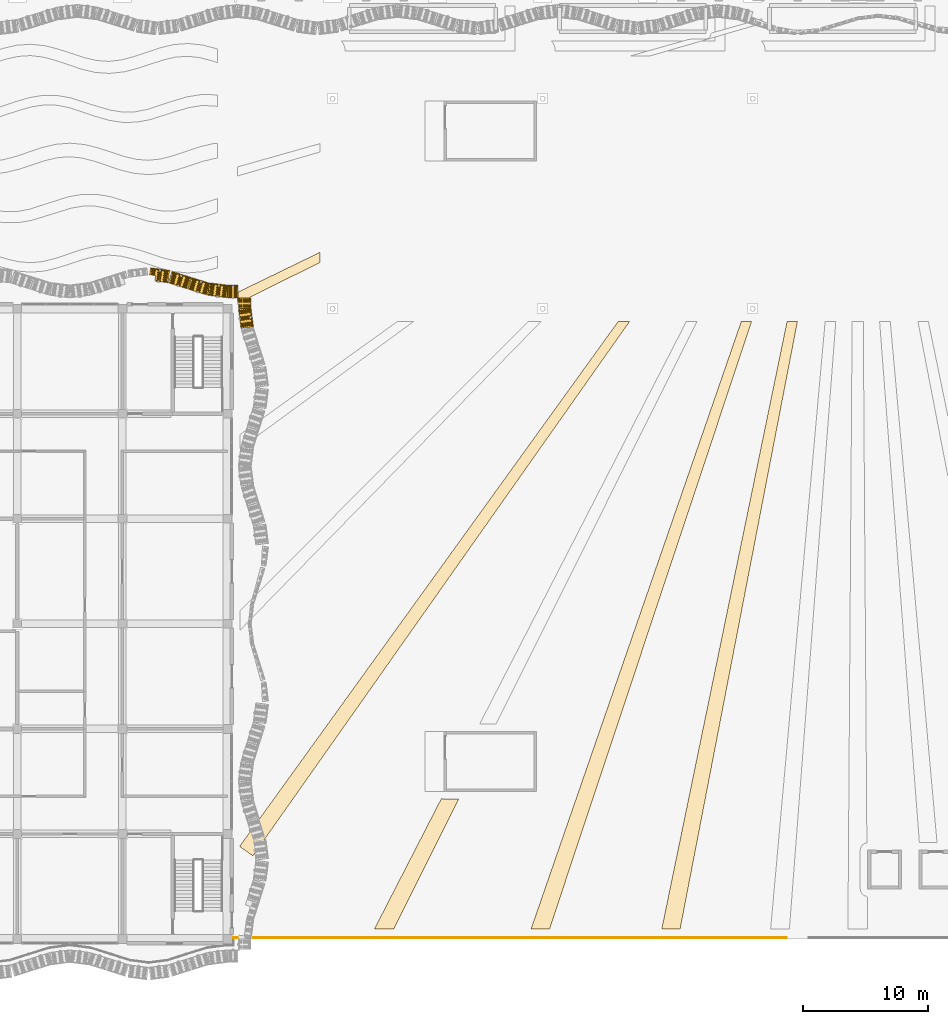
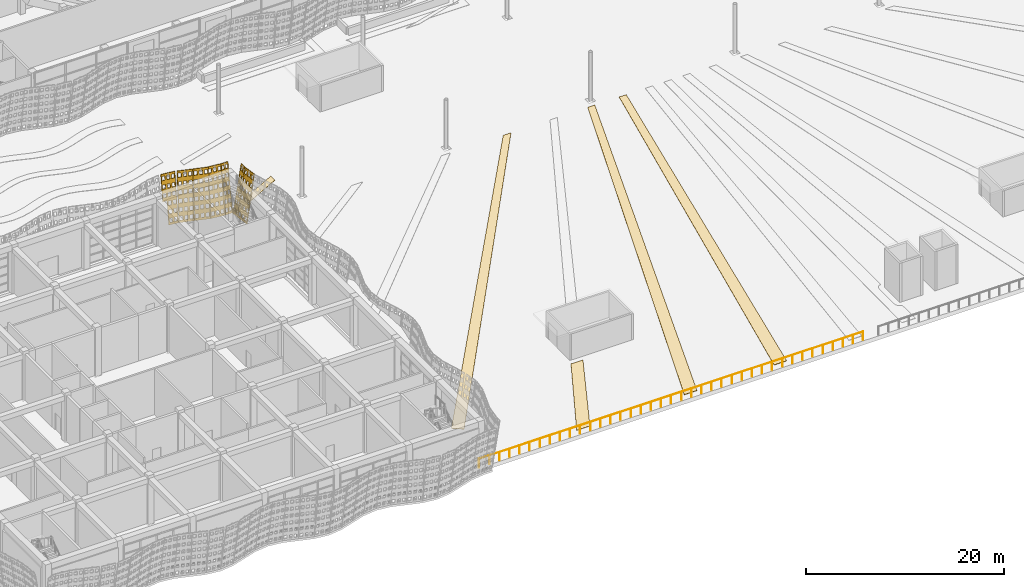
# One storey, part 164 of 210: 12 coverings, 1 railing.
"""IFC4 building model written with IfcOpenShell, lengths in metres."""

from ifc_helpers import new_model, si_unit, direction, frame, origin, origin_2d, place, context, subcontext, project, spatial, polyline, circle, outline, extrude, material, layer, layer_set, type_object, element, save


model = new_model("IFC4")

# Units and contexts
model_context = context("Model", 3, precision=1e-05, world=origin(), true_north=direction((0.0, 1.0)))
body_context = subcontext(model_context, "Body", "Model", "MODEL_VIEW")
ifc_project = project(units=[si_unit("LENGTHUNIT", "METRE"), si_unit("AREAUNIT", "SQUARE_METRE"), si_unit("VOLUMEUNIT", "CUBIC_METRE"), si_unit("PLANEANGLEUNIT", "RADIAN"), si_unit("MASSUNIT", "GRAM", prefix="KILO")], contexts=[model_context])

# Site, building, storey
site_placement = place(None, origin())
site = spatial("IfcSite", under=ifc_project, at=site_placement, CompositionType="ELEMENT")
building_placement = place(site_placement, origin())
building = spatial("IfcBuilding", under=site, at=building_placement, Name="Rain Tree Exposition and Congress Centre", CompositionType="ELEMENT")
storey_placement = place(building_placement, origin())
storey = spatial("IfcBuildingStorey", under=building, at=storey_placement, Name="L00", CompositionType="ELEMENT", Elevation=0.0)

# Coverings
ifc_material_1 = material(Name="Granite paving", Category="masonry")
ifc_layer_1 = layer(ifc_material_1, 0.030029296875)
ifc_layer_set_1 = layer_set([ifc_layer_1], Name="Granite paving")
covering_type_1 = type_object("IfcCoveringType", Name="Granite paving inlay 30", PredefinedType="FLOORING", material=ifc_layer_set_1)
covering_1_placement = place(storey_placement, origin())
element("IfcCovering", 1, at=covering_1_placement, inside=storey, type_object=covering_type_1, Name="Granite paving inlay 3", PredefinedType="FLOORING", context=body_context, shape_type="SweptSolid", body=[
    extrude(outline(polyline([(57.781005859375, 54.08984375), (57.800048828125, 54.91064453125), (51.199951171875, 51.7080078125), (51.199951171875, 50.998779296875), (51.283447265625, 50.86767578125), (57.781005859375, 54.08984375)])), origin(), (0.0, 0.0, 1.0), 0.030029296875),
])
covering_2_placement = place(storey_placement, origin())
element("IfcCovering", 2, at=covering_2_placement, inside=storey, type_object=covering_type_1, Name="Granite paving inlay 6", PredefinedType="FLOORING", context=body_context, shape_type="SweptSolid", body=[
    extrude(outline(polyline([(82.569580078125, 49.39990234375), (81.660400390625, 49.39990234375), (51.39990234375, 7.444580078125), (51.39990234375, 7.38427734375), (52.4296875, 6.64990234375), (82.569580078125, 49.39990234375)])), origin(), (0.0, 0.0, 1.0), 0.030029296875),
])
covering_3_placement = place(storey_placement, origin())
element("IfcCovering", 3, at=covering_3_placement, inside=storey, type_object=covering_type_1, Name="Granite paving inlay 8", PredefinedType="FLOORING", context=body_context, shape_type="SweptSolid", body=[
    extrude(outline(polyline([(68.88916015625, 11.199951171875), (67.699951171875, 11.199951171875), (67.510009765625, 11.2314453125), (62.1533203125, 0.800048828125), (63.69775390625, 0.800048828125), (68.88916015625, 11.199951171875)])), origin(), (0.0, 0.0, 1.0), 0.030029296875),
])
covering_4_placement = place(storey_placement, origin())
element("IfcCovering", 4, at=covering_4_placement, inside=storey, type_object=covering_type_1, Name="Granite paving inlay 9", PredefinedType="FLOORING", context=body_context, shape_type="SweptSolid", body=[
    extrude(outline(polyline([(92.321533203125, 49.39990234375), (91.496826171875, 49.39990234375), (74.67919921875, 0.800048828125), (76.156982421875, 0.800048828125), (92.321533203125, 49.39990234375)])), origin(), (0.0, 0.0, 1.0), 0.030029296875),
])
covering_5_placement = place(storey_placement, origin())
element("IfcCovering", 5, at=covering_5_placement, inside=storey, type_object=covering_type_1, Name="Granite paving inlay 10", PredefinedType="FLOORING", context=body_context, shape_type="SweptSolid", body=[
    extrude(outline(polyline([(95.9833984375, 49.39990234375), (95.154052734375, 49.39990234375), (85.131103515625, 0.800048828125), (86.599609375, 0.800048828125), (95.9833984375, 49.39990234375)])), origin(), (0.0, 0.0, 1.0), 0.030029296875),
])

# Railing
ifc_material_2 = material(Name="Stainless steel", Category="steel")
railing_type = type_object("IfcRailingType", Name="Guard 1100 stainless", PredefinedType="GUARDRAIL", material=ifc_material_2)
railing_placement = place(storey_placement, frame((50.39990234375, 0.10009765625, 0.0)))
element("IfcRailing", 6, at=railing_placement, inside=storey, type_object=railing_type, Name="Deck edge guard south-1", PredefinedType="GUARDRAIL", context=body_context, shape_type="SweptSolid", body=[
    extrude(circle(Radius=0.02490234375, at=origin_2d()), frame((0.0, 0.0, 1.0751953125), z_axis=(1.0, 0.0, 0.0), x_axis=(0.0, 1.0, 0.0)), (0.0, 0.0, 1.0), 44.7001953125),
    extrude(circle(Radius=0.02490234375, at=origin_2d()), origin(), (0.0, 0.0, 1.0), 1.050048828125),
    extrude(circle(Radius=0.02490234375, at=origin_2d()), frame((1.17626953125, 0.0, 0.0)), (0.0, 0.0, 1.0), 1.050048828125),
    extrude(circle(Radius=0.02490234375, at=origin_2d()), frame((2.3525390625, 0.0, 0.0)), (0.0, 0.0, 1.0), 1.050048828125),
    extrude(circle(Radius=0.02490234375, at=origin_2d()), frame((3.529052734375, 0.0, 0.0)), (0.0, 0.0, 1.0), 1.050048828125),
    extrude(circle(Radius=0.02490234375, at=origin_2d()), frame((4.705322265625, 0.0, 0.0)), (0.0, 0.0, 1.0), 1.050048828125),
    extrude(circle(Radius=0.02490234375, at=origin_2d()), frame((5.881591796875, 0.0, 0.0)), (0.0, 0.0, 1.0), 1.050048828125),
    extrude(circle(Radius=0.02490234375, at=origin_2d()), frame((7.057861328125, 0.0, 0.0)), (0.0, 0.0, 1.0), 1.050048828125),
    extrude(circle(Radius=0.02490234375, at=origin_2d()), frame((8.234130859375, 0.0, 0.0)), (0.0, 0.0, 1.0), 1.050048828125),
    extrude(circle(Radius=0.02490234375, at=origin_2d()), frame((9.41064453125, 0.0, 0.0)), (0.0, 0.0, 1.0), 1.050048828125),
    extrude(circle(Radius=0.02490234375, at=origin_2d()), frame((10.5869140625, 0.0, 0.0)), (0.0, 0.0, 1.0), 1.050048828125),
    extrude(circle(Radius=0.02490234375, at=origin_2d()), frame((11.76318359375, 0.0, 0.0)), (0.0, 0.0, 1.0), 1.050048828125),
    extrude(circle(Radius=0.02490234375, at=origin_2d()), frame((12.939453125, 0.0, 0.0)), (0.0, 0.0, 1.0), 1.050048828125),
    extrude(circle(Radius=0.02490234375, at=origin_2d()), frame((14.115966796875, 0.0, 0.0)), (0.0, 0.0, 1.0), 1.050048828125),
    extrude(circle(Radius=0.02490234375, at=origin_2d()), frame((15.292236328125, 0.0, 0.0)), (0.0, 0.0, 1.0), 1.050048828125),
    extrude(circle(Radius=0.02490234375, at=origin_2d()), frame((16.468505859375, 0.0, 0.0)), (0.0, 0.0, 1.0), 1.050048828125),
    extrude(circle(Radius=0.02490234375, at=origin_2d()), frame((17.644775390625, 0.0, 0.0)), (0.0, 0.0, 1.0), 1.050048828125),
    extrude(circle(Radius=0.02490234375, at=origin_2d()), frame((18.821044921875, 0.0, 0.0)), (0.0, 0.0, 1.0), 1.050048828125),
    extrude(circle(Radius=0.02490234375, at=origin_2d()), frame((19.99755859375, 0.0, 0.0)), (0.0, 0.0, 1.0), 1.050048828125),
    extrude(circle(Radius=0.02490234375, at=origin_2d()), frame((21.173828125, 0.0, 0.0)), (0.0, 0.0, 1.0), 1.050048828125),
    extrude(circle(Radius=0.02490234375, at=origin_2d()), frame((22.35009765625, 0.0, 0.0)), (0.0, 0.0, 1.0), 1.050048828125),
    extrude(circle(Radius=0.02490234375, at=origin_2d()), frame((23.5263671875, 0.0, 0.0)), (0.0, 0.0, 1.0), 1.050048828125),
    extrude(circle(Radius=0.02490234375, at=origin_2d()), frame((24.70263671875, 0.0, 0.0)), (0.0, 0.0, 1.0), 1.050048828125),
    extrude(circle(Radius=0.02490234375, at=origin_2d()), frame((25.879150390625, 0.0, 0.0)), (0.0, 0.0, 1.0), 1.050048828125),
    extrude(circle(Radius=0.02490234375, at=origin_2d()), frame((27.055419921875, 0.0, 0.0)), (0.0, 0.0, 1.0), 1.050048828125),
    extrude(circle(Radius=0.02490234375, at=origin_2d()), frame((28.231689453125, 0.0, 0.0)), (0.0, 0.0, 1.0), 1.050048828125),
    extrude(circle(Radius=0.02490234375, at=origin_2d()), frame((29.407958984375, 0.0, 0.0)), (0.0, 0.0, 1.0), 1.050048828125),
    extrude(circle(Radius=0.02490234375, at=origin_2d()), frame((30.584228515625, 0.0, 0.0)), (0.0, 0.0, 1.0), 1.050048828125),
    extrude(circle(Radius=0.02490234375, at=origin_2d()), frame((31.7607421875, 0.0, 0.0)), (0.0, 0.0, 1.0), 1.050048828125),
    extrude(circle(Radius=0.02490234375, at=origin_2d()), frame((32.93701171875, 0.0, 0.0)), (0.0, 0.0, 1.0), 1.050048828125),
    extrude(circle(Radius=0.02490234375, at=origin_2d()), frame((34.11328125, 0.0, 0.0)), (0.0, 0.0, 1.0), 1.050048828125),
    extrude(circle(Radius=0.02490234375, at=origin_2d()), frame((35.28955078125, 0.0, 0.0)), (0.0, 0.0, 1.0), 1.050048828125),
    extrude(circle(Radius=0.02490234375, at=origin_2d()), frame((36.466064453125, 0.0, 0.0)), (0.0, 0.0, 1.0), 1.050048828125),
    extrude(circle(Radius=0.02490234375, at=origin_2d()), frame((37.642333984375, 0.0, 0.0)), (0.0, 0.0, 1.0), 1.050048828125),
    extrude(circle(Radius=0.02490234375, at=origin_2d()), frame((38.818603515625, 0.0, 0.0)), (0.0, 0.0, 1.0), 1.050048828125),
    extrude(circle(Radius=0.02490234375, at=origin_2d()), frame((39.994873046875, 0.0, 0.0)), (0.0, 0.0, 1.0), 1.050048828125),
    extrude(circle(Radius=0.02490234375, at=origin_2d()), frame((41.171142578125, 0.0, 0.0)), (0.0, 0.0, 1.0), 1.050048828125),
    extrude(circle(Radius=0.02490234375, at=origin_2d()), frame((42.34765625, 0.0, 0.0)), (0.0, 0.0, 1.0), 1.050048828125),
    extrude(circle(Radius=0.02490234375, at=origin_2d()), frame((43.52392578125, 0.0, 0.0)), (0.0, 0.0, 1.0), 1.050048828125),
    extrude(circle(Radius=0.02490234375, at=origin_2d()), frame((44.7001953125, 0.0, 0.0)), (0.0, 0.0, 1.0), 1.050048828125),
])

# Coverings
ifc_material_3 = material(Name="Perforated terracotta", Category="masonry")
ifc_layer_2 = layer(ifc_material_3, 0.080078125)
ifc_layer_set_2 = layer_set([ifc_layer_2], Name="Perforated terracotta")
covering_type_2 = type_object("IfcCoveringType", Name="Terracotta screen 80", PredefinedType="CLADDING", material=ifc_layer_set_2)
covering_6_placement = place(storey_placement, frame((51.554931640625, 48.824951171875, 0.0), z_axis=(-0.978391994594, -0.12841394929, 0.162046174105), x_axis=(0.130133906157, -0.991496427865, 0.0)))
element("IfcCovering", 7, at=covering_6_placement, inside=storey, type_object=covering_type_2, Name="wing/screen/L00/066", PredefinedType="CLADDING", context=body_context, shape_type="SweptSolid", body=[
    extrude(outline(polyline([(-0.014892578125, 5.813720703125), (-0.014892578125, 0.0), (-1.5732421875, 0.0), (-1.5732421875, 5.813720703125), (-0.014892578125, 5.813720703125)]), holes=[polyline([(-0.11376953125, 0.25), (-0.11376953125, 0.718994140625), (-0.435791015625, 0.718994140625), (-0.435791015625, 0.25), (-0.11376953125, 0.25)]), polyline([(-0.11376953125, 1.218994140625), (-0.11376953125, 1.687744140625), (-0.435791015625, 1.687744140625), (-0.435791015625, 1.218994140625), (-0.11376953125, 1.218994140625)]), polyline([(-0.11376953125, 2.18798828125), (-0.11376953125, 2.65673828125), (-0.435791015625, 2.65673828125), (-0.435791015625, 2.18798828125), (-0.11376953125, 2.18798828125)]), polyline([(-0.11376953125, 3.15673828125), (-0.11376953125, 3.625732421875), (-0.435791015625, 3.625732421875), (-0.435791015625, 3.15673828125), (-0.11376953125, 3.15673828125)]), polyline([(-0.11376953125, 4.125732421875), (-0.11376953125, 4.594482421875), (-0.435791015625, 4.594482421875), (-0.435791015625, 4.125732421875), (-0.11376953125, 4.125732421875)]), polyline([(-0.11376953125, 5.0947265625), (-0.11376953125, 5.5634765625), (-0.435791015625, 5.5634765625), (-0.435791015625, 5.0947265625), (-0.11376953125, 5.0947265625)]), polyline([(-0.633056640625, 0.25), (-0.633056640625, 0.718994140625), (-0.955078125, 0.718994140625), (-0.955078125, 0.25), (-0.633056640625, 0.25)]), polyline([(-0.633056640625, 1.218994140625), (-0.633056640625, 1.687744140625), (-0.955078125, 1.687744140625), (-0.955078125, 1.218994140625), (-0.633056640625, 1.218994140625)]), polyline([(-0.633056640625, 2.18798828125), (-0.633056640625, 2.65673828125), (-0.955078125, 2.65673828125), (-0.955078125, 2.18798828125), (-0.633056640625, 2.18798828125)]), polyline([(-0.633056640625, 3.15673828125), (-0.633056640625, 3.625732421875), (-0.955078125, 3.625732421875), (-0.955078125, 3.15673828125), (-0.633056640625, 3.15673828125)]), polyline([(-0.633056640625, 4.125732421875), (-0.633056640625, 4.594482421875), (-0.955078125, 4.594482421875), (-0.955078125, 4.125732421875), (-0.633056640625, 4.125732421875)]), polyline([(-0.633056640625, 5.0947265625), (-0.633056640625, 5.5634765625), (-0.955078125, 5.5634765625), (-0.955078125, 5.0947265625), (-0.633056640625, 5.0947265625)]), polyline([(-1.152587890625, 0.25), (-1.152587890625, 0.718994140625), (-1.474609375, 0.718994140625), (-1.474609375, 0.25), (-1.152587890625, 0.25)]), polyline([(-1.152587890625, 1.218994140625), (-1.152587890625, 1.687744140625), (-1.474609375, 1.687744140625), (-1.474609375, 1.218994140625), (-1.152587890625, 1.218994140625)]), polyline([(-1.152587890625, 2.18798828125), (-1.152587890625, 2.65673828125), (-1.474609375, 2.65673828125), (-1.474609375, 2.18798828125), (-1.152587890625, 2.18798828125)]), polyline([(-1.152587890625, 3.15673828125), (-1.152587890625, 3.625732421875), (-1.474609375, 3.625732421875), (-1.474609375, 3.15673828125), (-1.152587890625, 3.15673828125)]), polyline([(-1.152587890625, 4.125732421875), (-1.152587890625, 4.594482421875), (-1.474609375, 4.594482421875), (-1.474609375, 4.125732421875), (-1.152587890625, 4.125732421875)]), polyline([(-1.152587890625, 5.0947265625), (-1.152587890625, 5.5634765625), (-1.474609375, 5.5634765625), (-1.474609375, 5.0947265625), (-1.152587890625, 5.0947265625)])]), origin(), (0.0, 0.0, 1.0), 0.079833984375),
])
covering_7_placement = place(storey_placement, frame((51.35009765625, 50.39990234375, 0.0), z_axis=(-0.986883407383, 0.0, 0.161434631455), x_axis=(0.0, -1.0, 0.0)))
element("IfcCovering", 8, at=covering_7_placement, inside=storey, type_object=covering_type_2, Name="wing/screen/L00/067", PredefinedType="CLADDING", context=body_context, shape_type="SweptSolid", body=[
    extrude(outline(polyline([(-0.014892578125, 5.814697265625), (-0.014892578125, 0.0), (-0.85498046875, 0.0), (-0.85498046875, 5.814697265625), (-0.014892578125, 5.814697265625)]), holes=[polyline([(-0.0947265625, 0.25), (-0.0947265625, 0.718994140625), (-0.355224609375, 0.718994140625), (-0.355224609375, 0.25), (-0.0947265625, 0.25)]), polyline([(-0.0947265625, 1.21923828125), (-0.0947265625, 1.688232421875), (-0.355224609375, 1.688232421875), (-0.355224609375, 1.21923828125), (-0.0947265625, 1.21923828125)]), polyline([(-0.0947265625, 2.1884765625), (-0.0947265625, 2.6572265625), (-0.355224609375, 2.6572265625), (-0.355224609375, 2.1884765625), (-0.0947265625, 2.1884765625)]), polyline([(-0.0947265625, 3.157470703125), (-0.0947265625, 3.62646484375), (-0.355224609375, 3.62646484375), (-0.355224609375, 3.157470703125), (-0.0947265625, 3.157470703125)]), polyline([(-0.0947265625, 4.126708984375), (-0.0947265625, 4.595458984375), (-0.355224609375, 4.595458984375), (-0.355224609375, 4.126708984375), (-0.0947265625, 4.126708984375)]), polyline([(-0.0947265625, 5.095703125), (-0.0947265625, 5.564697265625), (-0.355224609375, 5.564697265625), (-0.355224609375, 5.095703125), (-0.0947265625, 5.095703125)]), polyline([(-0.514892578125, 0.25), (-0.514892578125, 0.718994140625), (-0.775146484375, 0.718994140625), (-0.775146484375, 0.25), (-0.514892578125, 0.25)]), polyline([(-0.514892578125, 1.21923828125), (-0.514892578125, 1.688232421875), (-0.775146484375, 1.688232421875), (-0.775146484375, 1.21923828125), (-0.514892578125, 1.21923828125)]), polyline([(-0.514892578125, 2.1884765625), (-0.514892578125, 2.6572265625), (-0.775146484375, 2.6572265625), (-0.775146484375, 2.1884765625), (-0.514892578125, 2.1884765625)]), polyline([(-0.514892578125, 3.157470703125), (-0.514892578125, 3.62646484375), (-0.775146484375, 3.62646484375), (-0.775146484375, 3.157470703125), (-0.514892578125, 3.157470703125)]), polyline([(-0.514892578125, 4.126708984375), (-0.514892578125, 4.595458984375), (-0.775146484375, 4.595458984375), (-0.775146484375, 4.126708984375), (-0.514892578125, 4.126708984375)]), polyline([(-0.514892578125, 5.095703125), (-0.514892578125, 5.564697265625), (-0.775146484375, 5.564697265625), (-0.775146484375, 5.095703125), (-0.514892578125, 5.095703125)])]), origin(), (0.0, 0.0, 1.0), 0.080078125),
])
covering_8_placement = place(storey_placement, frame((51.35009765625, 51.35009765625, 0.0), z_axis=(0.0, -0.986883407383, 0.161434631455), x_axis=(1.0, 0.0, 0.0)))
element("IfcCovering", 9, at=covering_8_placement, inside=storey, type_object=covering_type_2, Name="wing/screen/L00/068", PredefinedType="CLADDING", context=body_context, shape_type="SweptSolid", body=[
    extrude(outline(polyline([(-0.094970703125, 5.814697265625), (-0.094970703125, 0.0), (-0.93505859375, 0.0), (-0.93505859375, 5.814697265625), (-0.094970703125, 5.814697265625)]), holes=[polyline([(-0.1748046875, 0.25), (-0.1748046875, 0.718994140625), (-0.435302734375, 0.718994140625), (-0.435302734375, 0.25), (-0.1748046875, 0.25)]), polyline([(-0.1748046875, 1.21923828125), (-0.1748046875, 1.688232421875), (-0.435302734375, 1.688232421875), (-0.435302734375, 1.21923828125), (-0.1748046875, 1.21923828125)]), polyline([(-0.1748046875, 2.1884765625), (-0.1748046875, 2.6572265625), (-0.435302734375, 2.6572265625), (-0.435302734375, 2.1884765625), (-0.1748046875, 2.1884765625)]), polyline([(-0.1748046875, 3.157470703125), (-0.1748046875, 3.62646484375), (-0.435302734375, 3.62646484375), (-0.435302734375, 3.157470703125), (-0.1748046875, 3.157470703125)]), polyline([(-0.1748046875, 4.126708984375), (-0.1748046875, 4.595458984375), (-0.435302734375, 4.595458984375), (-0.435302734375, 4.126708984375), (-0.1748046875, 4.126708984375)]), polyline([(-0.1748046875, 5.095703125), (-0.1748046875, 5.564697265625), (-0.435302734375, 5.564697265625), (-0.435302734375, 5.095703125), (-0.1748046875, 5.095703125)]), polyline([(-0.5947265625, 0.25), (-0.5947265625, 0.718994140625), (-0.855224609375, 0.718994140625), (-0.855224609375, 0.25), (-0.5947265625, 0.25)]), polyline([(-0.5947265625, 1.21923828125), (-0.5947265625, 1.688232421875), (-0.855224609375, 1.688232421875), (-0.855224609375, 1.21923828125), (-0.5947265625, 1.21923828125)]), polyline([(-0.5947265625, 2.1884765625), (-0.5947265625, 2.6572265625), (-0.855224609375, 2.6572265625), (-0.855224609375, 2.1884765625), (-0.5947265625, 2.1884765625)]), polyline([(-0.5947265625, 3.157470703125), (-0.5947265625, 3.62646484375), (-0.855224609375, 3.62646484375), (-0.855224609375, 3.157470703125), (-0.5947265625, 3.157470703125)]), polyline([(-0.5947265625, 4.126708984375), (-0.5947265625, 4.595458984375), (-0.855224609375, 4.595458984375), (-0.855224609375, 4.126708984375), (-0.5947265625, 4.126708984375)]), polyline([(-0.5947265625, 5.095703125), (-0.5947265625, 5.564697265625), (-0.855224609375, 5.564697265625), (-0.855224609375, 5.095703125), (-0.5947265625, 5.095703125)])]), origin(), (0.0, 0.0, 1.0), 0.080078125),
])
covering_9_placement = place(storey_placement, frame((50.39990234375, 51.35009765625, 0.0), z_axis=(-0.125030801275, -0.978899688033, 0.161625182136), x_axis=(0.991941518713, -0.126696580272, 0.0)))
element("IfcCovering", 10, at=covering_9_placement, inside=storey, type_object=covering_type_2, Name="wing/screen/L00/069", PredefinedType="CLADDING", context=body_context, shape_type="SweptSolid", body=[
    extrude(outline(polyline([(-0.014892578125, 5.813720703125), (-0.014892578125, 0.0), (-1.5732421875, 0.0), (-1.5732421875, 5.813720703125), (-0.014892578125, 5.813720703125)]), holes=[polyline([(-0.11376953125, 0.25), (-0.11376953125, 0.718994140625), (-0.435791015625, 0.718994140625), (-0.435791015625, 0.25), (-0.11376953125, 0.25)]), polyline([(-0.11376953125, 1.218994140625), (-0.11376953125, 1.687744140625), (-0.435791015625, 1.687744140625), (-0.435791015625, 1.218994140625), (-0.11376953125, 1.218994140625)]), polyline([(-0.11376953125, 2.18798828125), (-0.11376953125, 2.65673828125), (-0.435791015625, 2.65673828125), (-0.435791015625, 2.18798828125), (-0.11376953125, 2.18798828125)]), polyline([(-0.11376953125, 3.15673828125), (-0.11376953125, 3.625732421875), (-0.435791015625, 3.625732421875), (-0.435791015625, 3.15673828125), (-0.11376953125, 3.15673828125)]), polyline([(-0.11376953125, 4.125732421875), (-0.11376953125, 4.594482421875), (-0.435791015625, 4.594482421875), (-0.435791015625, 4.125732421875), (-0.11376953125, 4.125732421875)]), polyline([(-0.11376953125, 5.0947265625), (-0.11376953125, 5.5634765625), (-0.435791015625, 5.5634765625), (-0.435791015625, 5.0947265625), (-0.11376953125, 5.0947265625)]), polyline([(-0.633056640625, 0.25), (-0.633056640625, 0.718994140625), (-0.955078125, 0.718994140625), (-0.955078125, 0.25), (-0.633056640625, 0.25)]), polyline([(-0.633056640625, 1.218994140625), (-0.633056640625, 1.687744140625), (-0.955078125, 1.687744140625), (-0.955078125, 1.218994140625), (-0.633056640625, 1.218994140625)]), polyline([(-0.633056640625, 2.18798828125), (-0.633056640625, 2.65673828125), (-0.955078125, 2.65673828125), (-0.955078125, 2.18798828125), (-0.633056640625, 2.18798828125)]), polyline([(-0.633056640625, 3.15673828125), (-0.633056640625, 3.625732421875), (-0.955078125, 3.625732421875), (-0.955078125, 3.15673828125), (-0.633056640625, 3.15673828125)]), polyline([(-0.633056640625, 4.125732421875), (-0.633056640625, 4.594482421875), (-0.955078125, 4.594482421875), (-0.955078125, 4.125732421875), (-0.633056640625, 4.125732421875)]), polyline([(-0.633056640625, 5.0947265625), (-0.633056640625, 5.5634765625), (-0.955078125, 5.5634765625), (-0.955078125, 5.0947265625), (-0.633056640625, 5.0947265625)]), polyline([(-1.152587890625, 0.25), (-1.152587890625, 0.718994140625), (-1.474609375, 0.718994140625), (-1.474609375, 0.25), (-1.152587890625, 0.25)]), polyline([(-1.152587890625, 1.218994140625), (-1.152587890625, 1.687744140625), (-1.474609375, 1.687744140625), (-1.474609375, 1.218994140625), (-1.152587890625, 1.218994140625)]), polyline([(-1.152587890625, 2.18798828125), (-1.152587890625, 2.65673828125), (-1.474609375, 2.65673828125), (-1.474609375, 2.18798828125), (-1.152587890625, 2.18798828125)]), polyline([(-1.152587890625, 3.15673828125), (-1.152587890625, 3.625732421875), (-1.474609375, 3.625732421875), (-1.474609375, 3.15673828125), (-1.152587890625, 3.15673828125)]), polyline([(-1.152587890625, 4.125732421875), (-1.152587890625, 4.594482421875), (-1.474609375, 4.594482421875), (-1.474609375, 4.125732421875), (-1.152587890625, 4.125732421875)]), polyline([(-1.152587890625, 5.0947265625), (-1.152587890625, 5.5634765625), (-1.474609375, 5.5634765625), (-1.474609375, 5.0947265625), (-1.152587890625, 5.0947265625)])]), origin(), (0.0, 0.0, 1.0), 0.080078125),
])
covering_10_placement = place(storey_placement, frame((48.824951171875, 51.554931640625, 0.0), z_axis=(-0.295859611525, -0.942480618158, 0.155555053482), x_axis=(0.954094597562, -0.29950542383, 0.0)))
element("IfcCovering", 11, at=covering_10_placement, inside=storey, type_object=covering_type_2, Name="wing/screen/L00/070", PredefinedType="CLADDING", context=body_context, shape_type="SweptSolid", body=[
    extrude(outline(polyline([(-0.014892578125, 5.808349609375), (-0.014892578125, 0.0), (-1.635986328125, 0.0), (-1.635986328125, 5.808349609375), (-0.014892578125, 5.808349609375)]), holes=[polyline([(-0.11767578125, 0.249755859375), (-0.11767578125, 0.71826171875), (-0.45263671875, 0.71826171875), (-0.45263671875, 0.249755859375), (-0.11767578125, 0.249755859375)]), polyline([(-0.11767578125, 1.218017578125), (-0.11767578125, 1.686279296875), (-0.45263671875, 1.686279296875), (-0.45263671875, 1.218017578125), (-0.11767578125, 1.218017578125)]), polyline([(-0.11767578125, 2.18603515625), (-0.11767578125, 2.654296875), (-0.45263671875, 2.654296875), (-0.45263671875, 2.18603515625), (-0.11767578125, 2.18603515625)]), polyline([(-0.11767578125, 3.154052734375), (-0.11767578125, 3.62255859375), (-0.45263671875, 3.62255859375), (-0.45263671875, 3.154052734375), (-0.11767578125, 3.154052734375)]), polyline([(-0.11767578125, 4.1220703125), (-0.11767578125, 4.590576171875), (-0.45263671875, 4.590576171875), (-0.45263671875, 4.1220703125), (-0.11767578125, 4.1220703125)]), polyline([(-0.11767578125, 5.090087890625), (-0.11767578125, 5.55859375), (-0.45263671875, 5.55859375), (-0.45263671875, 5.090087890625), (-0.11767578125, 5.090087890625)]), polyline([(-0.657958984375, 0.249755859375), (-0.657958984375, 0.71826171875), (-0.992919921875, 0.71826171875), (-0.992919921875, 0.249755859375), (-0.657958984375, 0.249755859375)]), polyline([(-0.657958984375, 1.218017578125), (-0.657958984375, 1.686279296875), (-0.992919921875, 1.686279296875), (-0.992919921875, 1.218017578125), (-0.657958984375, 1.218017578125)]), polyline([(-0.657958984375, 2.18603515625), (-0.657958984375, 2.654296875), (-0.992919921875, 2.654296875), (-0.992919921875, 2.18603515625), (-0.657958984375, 2.18603515625)]), polyline([(-0.657958984375, 3.154052734375), (-0.657958984375, 3.62255859375), (-0.992919921875, 3.62255859375), (-0.992919921875, 3.154052734375), (-0.657958984375, 3.154052734375)]), polyline([(-0.657958984375, 4.1220703125), (-0.657958984375, 4.590576171875), (-0.992919921875, 4.590576171875), (-0.992919921875, 4.1220703125), (-0.657958984375, 4.1220703125)]), polyline([(-0.657958984375, 5.090087890625), (-0.657958984375, 5.55859375), (-0.992919921875, 5.55859375), (-0.992919921875, 5.090087890625), (-0.657958984375, 5.090087890625)]), polyline([(-1.1982421875, 0.249755859375), (-1.1982421875, 0.71826171875), (-1.533203125, 0.71826171875), (-1.533203125, 0.249755859375), (-1.1982421875, 0.249755859375)]), polyline([(-1.1982421875, 1.218017578125), (-1.1982421875, 1.686279296875), (-1.533203125, 1.686279296875), (-1.533203125, 1.218017578125), (-1.1982421875, 1.218017578125)]), polyline([(-1.1982421875, 2.18603515625), (-1.1982421875, 2.654296875), (-1.533203125, 2.654296875), (-1.533203125, 2.18603515625), (-1.1982421875, 2.18603515625)]), polyline([(-1.1982421875, 3.154052734375), (-1.1982421875, 3.62255859375), (-1.533203125, 3.62255859375), (-1.533203125, 3.154052734375), (-1.1982421875, 3.154052734375)]), polyline([(-1.1982421875, 4.1220703125), (-1.1982421875, 4.590576171875), (-1.533203125, 4.590576171875), (-1.533203125, 4.1220703125), (-1.1982421875, 4.1220703125)]), polyline([(-1.1982421875, 5.090087890625), (-1.1982421875, 5.55859375), (-1.533203125, 5.55859375), (-1.533203125, 5.090087890625), (-1.1982421875, 5.090087890625)])]), origin(), (0.0, 0.0, 1.0), 0.080078125),
])
covering_11_placement = place(storey_placement, frame((47.25, 52.050048828125, 0.0), z_axis=(-0.295859611525, -0.942480618158, 0.155555053482), x_axis=(0.954094597562, -0.29950542383, 0.0)))
element("IfcCovering", 12, at=covering_11_placement, inside=storey, type_object=covering_type_2, Name="wing/screen/L00/071", PredefinedType="CLADDING", context=body_context, shape_type="SweptSolid", body=[
    extrude(outline(polyline([(-0.014892578125, 5.808349609375), (-0.014892578125, 0.0), (-1.62890625, 0.0), (-1.62890625, 5.808349609375), (-0.014892578125, 5.808349609375)]), holes=[polyline([(-0.1171875, 0.249755859375), (-0.1171875, 0.71826171875), (-0.45068359375, 0.71826171875), (-0.45068359375, 0.249755859375), (-0.1171875, 0.249755859375)]), polyline([(-0.1171875, 1.218017578125), (-0.1171875, 1.686279296875), (-0.45068359375, 1.686279296875), (-0.45068359375, 1.218017578125), (-0.1171875, 1.218017578125)]), polyline([(-0.1171875, 2.18603515625), (-0.1171875, 2.654296875), (-0.45068359375, 2.654296875), (-0.45068359375, 2.18603515625), (-0.1171875, 2.18603515625)]), polyline([(-0.1171875, 3.154052734375), (-0.1171875, 3.62255859375), (-0.45068359375, 3.62255859375), (-0.45068359375, 3.154052734375), (-0.1171875, 3.154052734375)]), polyline([(-0.1171875, 4.1220703125), (-0.1171875, 4.590576171875), (-0.45068359375, 4.590576171875), (-0.45068359375, 4.1220703125), (-0.1171875, 4.1220703125)]), polyline([(-0.1171875, 5.090087890625), (-0.1171875, 5.55859375), (-0.45068359375, 5.55859375), (-0.45068359375, 5.090087890625), (-0.1171875, 5.090087890625)]), polyline([(-0.6552734375, 0.249755859375), (-0.6552734375, 0.71826171875), (-0.98876953125, 0.71826171875), (-0.98876953125, 0.249755859375), (-0.6552734375, 0.249755859375)]), polyline([(-0.6552734375, 1.218017578125), (-0.6552734375, 1.686279296875), (-0.98876953125, 1.686279296875), (-0.98876953125, 1.218017578125), (-0.6552734375, 1.218017578125)]), polyline([(-0.6552734375, 2.18603515625), (-0.6552734375, 2.654296875), (-0.98876953125, 2.654296875), (-0.98876953125, 2.18603515625), (-0.6552734375, 2.18603515625)]), polyline([(-0.6552734375, 3.154052734375), (-0.6552734375, 3.62255859375), (-0.98876953125, 3.62255859375), (-0.98876953125, 3.154052734375), (-0.6552734375, 3.154052734375)]), polyline([(-0.6552734375, 4.1220703125), (-0.6552734375, 4.590576171875), (-0.98876953125, 4.590576171875), (-0.98876953125, 4.1220703125), (-0.6552734375, 4.1220703125)]), polyline([(-0.6552734375, 5.090087890625), (-0.6552734375, 5.55859375), (-0.98876953125, 5.55859375), (-0.98876953125, 5.090087890625), (-0.6552734375, 5.090087890625)]), polyline([(-1.193115234375, 0.249755859375), (-1.193115234375, 0.71826171875), (-1.526611328125, 0.71826171875), (-1.526611328125, 0.249755859375), (-1.193115234375, 0.249755859375)]), polyline([(-1.193115234375, 1.218017578125), (-1.193115234375, 1.686279296875), (-1.526611328125, 1.686279296875), (-1.526611328125, 1.218017578125), (-1.193115234375, 1.218017578125)]), polyline([(-1.193115234375, 2.18603515625), (-1.193115234375, 2.654296875), (-1.526611328125, 2.654296875), (-1.526611328125, 2.18603515625), (-1.193115234375, 2.18603515625)]), polyline([(-1.193115234375, 3.154052734375), (-1.193115234375, 3.62255859375), (-1.526611328125, 3.62255859375), (-1.526611328125, 3.154052734375), (-1.193115234375, 3.154052734375)]), polyline([(-1.193115234375, 4.1220703125), (-1.193115234375, 4.590576171875), (-1.526611328125, 4.590576171875), (-1.526611328125, 4.1220703125), (-1.193115234375, 4.1220703125)]), polyline([(-1.193115234375, 5.090087890625), (-1.193115234375, 5.55859375), (-1.526611328125, 5.55859375), (-1.526611328125, 5.090087890625), (-1.193115234375, 5.090087890625)])]), origin(), (0.0, 0.0, 1.0), 0.080078125),
])
covering_12_placement = place(storey_placement, frame((45.675048828125, 52.544921875, 0.0), z_axis=(-0.12841394929, -0.978391994594, 0.162046174105), x_axis=(0.991496427865, -0.130133906157, 0.0)))
element("IfcCovering", 13, at=covering_12_placement, inside=storey, type_object=covering_type_2, Name="wing/screen/L00/072", PredefinedType="CLADDING", context=body_context, shape_type="SweptSolid", body=[
    extrude(outline(polyline([(-0.02197265625, 5.813720703125), (-0.02197265625, 0.0), (-1.083984375, 0.0), (-1.083984375, 2.736083984375), (-1.56298828125, 2.736083984375), (-1.56298828125, 5.813720703125), (-0.02197265625, 5.813720703125)]), holes=[polyline([(-0.11962890625, 0.25), (-0.11962890625, 0.718994140625), (-0.43798828125, 0.718994140625), (-0.43798828125, 0.25), (-0.11962890625, 0.25)]), polyline([(-0.11962890625, 1.218994140625), (-0.11962890625, 1.687744140625), (-0.43798828125, 1.687744140625), (-0.43798828125, 1.218994140625), (-0.11962890625, 1.218994140625)]), polyline([(-0.11962890625, 2.18798828125), (-0.11962890625, 2.65673828125), (-0.43798828125, 2.65673828125), (-0.43798828125, 2.18798828125), (-0.11962890625, 2.18798828125)]), polyline([(-0.11962890625, 3.15673828125), (-0.11962890625, 3.625732421875), (-0.43798828125, 3.625732421875), (-0.43798828125, 3.15673828125), (-0.11962890625, 3.15673828125)]), polyline([(-0.11962890625, 4.125732421875), (-0.11962890625, 4.594482421875), (-0.43798828125, 4.594482421875), (-0.43798828125, 4.125732421875), (-0.11962890625, 4.125732421875)]), polyline([(-0.11962890625, 5.0947265625), (-0.11962890625, 5.5634765625), (-0.43798828125, 5.5634765625), (-0.43798828125, 5.0947265625), (-0.11962890625, 5.0947265625)]), polyline([(-0.63330078125, 0.25), (-0.63330078125, 0.718994140625), (-0.95166015625, 0.718994140625), (-0.95166015625, 0.25), (-0.63330078125, 0.25)]), polyline([(-0.63330078125, 1.218994140625), (-0.63330078125, 1.687744140625), (-0.95166015625, 1.687744140625), (-0.95166015625, 1.218994140625), (-0.63330078125, 1.218994140625)]), polyline([(-0.63330078125, 2.18798828125), (-0.63330078125, 2.65673828125), (-0.95166015625, 2.65673828125), (-0.95166015625, 2.18798828125), (-0.63330078125, 2.18798828125)]), polyline([(-0.63330078125, 3.15673828125), (-0.63330078125, 3.625732421875), (-0.95166015625, 3.625732421875), (-0.95166015625, 3.15673828125), (-0.63330078125, 3.15673828125)]), polyline([(-0.63330078125, 4.125732421875), (-0.63330078125, 4.594482421875), (-0.95166015625, 4.594482421875), (-0.95166015625, 4.125732421875), (-0.63330078125, 4.125732421875)]), polyline([(-0.63330078125, 5.0947265625), (-0.63330078125, 5.5634765625), (-0.95166015625, 5.5634765625), (-0.95166015625, 5.0947265625), (-0.63330078125, 5.0947265625)]), polyline([(-1.146728515625, 3.15673828125), (-1.146728515625, 3.625732421875), (-1.46533203125, 3.625732421875), (-1.46533203125, 3.15673828125), (-1.146728515625, 3.15673828125)]), polyline([(-1.146728515625, 4.125732421875), (-1.146728515625, 4.594482421875), (-1.46533203125, 4.594482421875), (-1.46533203125, 4.125732421875), (-1.146728515625, 4.125732421875)]), polyline([(-1.146728515625, 5.0947265625), (-1.146728515625, 5.5634765625), (-1.46533203125, 5.5634765625), (-1.46533203125, 5.0947265625), (-1.146728515625, 5.0947265625)])]), origin(), (0.0, 0.0, 1.0), 0.079833984375),
])

save(model, "model.ifc")
